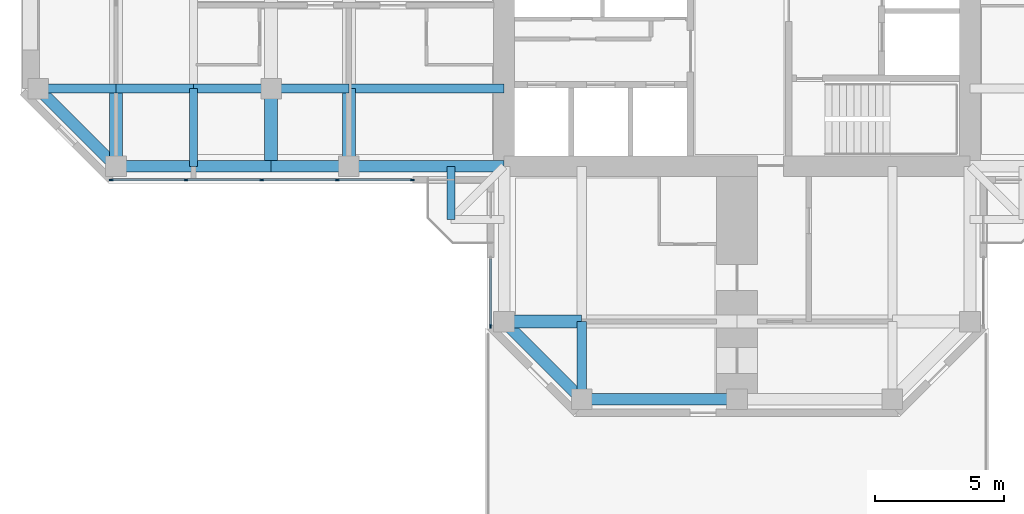
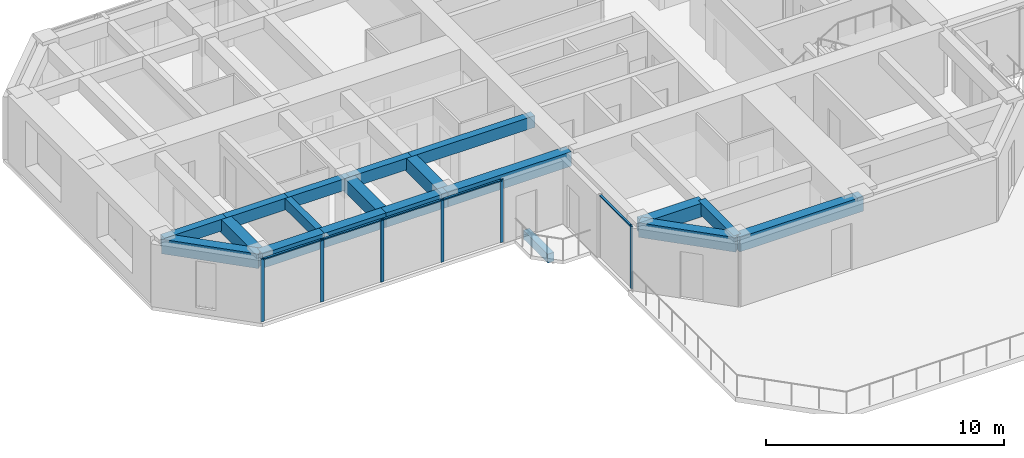
# One storey, part 2 of 14: 19 beams, 11 members, 2 elements without a shape of their own.
"""IFC4 building model written with IfcOpenShell, lengths in metres."""

from ifc_helpers import new_model, si_unit, direction, frame, origin, origin_2d, place, context, subcontext, project, spatial, rectangle, extrude, material, material_profile, profile_set, type_object, element, aggregate, save


model = new_model("IFC4")

# Units and contexts
model_context = context("Model", 3, precision=1e-05, world=origin(), true_north=direction((0.0, 1.0)))
body_context = subcontext(model_context, "Body", "Model", "MODEL_VIEW")
ifc_project = project(units=[si_unit("LENGTHUNIT", "METRE"), si_unit("AREAUNIT", "SQUARE_METRE"), si_unit("VOLUMEUNIT", "CUBIC_METRE"), si_unit("PLANEANGLEUNIT", "RADIAN"), si_unit("MASSUNIT", "GRAM", prefix="KILO")], contexts=[model_context])

# Site, building, storey
site_placement = place(None, origin())
site = spatial("IfcSite", under=ifc_project, at=site_placement, CompositionType="ELEMENT")
building_placement = place(site_placement, origin())
building = spatial("IfcBuilding", under=site, at=building_placement, Name="Torre Cruceta", CompositionType="ELEMENT")
storey_placement = place(building_placement, frame((0.0, 0.0, 222.10009765625)))
storey = spatial("IfcBuildingStorey", under=building, at=storey_placement, Name="L56", CompositionType="ELEMENT", Elevation=222.10009765625)

# Beams
ifc_material_1 = material(Name="Concrete G60 (fck 60 MPa)", Category="concrete")
ifc_material_profile_1 = material_profile(ifc_material_1, rectangle(XDim=0.300048828125, YDim=0.449951171875, at=origin_2d()), Name="RC 300X450")
ifc_profile_set_1 = profile_set([ifc_material_profile_1], Name="Concrete G60 (fck 60 MPa)")
beam_type_1 = type_object("IfcBeamType", Name="BALCONY CANTILEVER BEAM RC 300X450", PredefinedType="BEAM", material=ifc_profile_set_1)
beam_1_placement = place(storey_placement, frame((-11.050537109375, -9.0, -0.405029296875), z_axis=(0.0, -1.0, 0.0), x_axis=(1.0, 0.0, 0.0)))
element("IfcBeam", 1, at=beam_1_placement, inside=storey, type_object=beam_type_1, Name="BB1 balcony edge beam L56 W-X", PredefinedType="BEAM", context=body_context, shape_type="SweptSolid", body=[
    extrude(rectangle(XDim=0.300048828125, YDim=0.449951171875, at=origin_2d()), origin(), (0.0, 0.0, 1.0), 2.050537109375),
])
ifc_material_2 = material(Name="Concrete G60 (fck 60 MPa)", Category="concrete")
ifc_material_profile_2 = material_profile(ifc_material_2, rectangle(XDim=0.35009765625, YDim=0.60009765625, at=origin_2d()), Name="RC 350X600")
ifc_profile_set_2 = profile_set([ifc_material_profile_2], Name="Concrete G60 (fck 60 MPa)")
beam_type_2 = type_object("IfcBeamType", Name="COLUMN LINE BEAM RC 350X600", PredefinedType="BEAM", material=ifc_profile_set_2)
beam_2_placement = place(storey_placement, frame((-6.0, -15.0, 2.919921875), z_axis=(0.0, -1.0, 0.0), x_axis=(1.0, 0.0, 0.0)))
element("IfcBeam", 2, at=beam_2_placement, inside=storey, type_object=beam_type_2, Name="LB9 L56 S col- 2", PredefinedType="BEAM", context=body_context, shape_type="SweptSolid", body=[
    extrude(rectangle(XDim=0.35009765625, YDim=0.60009765625, at=origin_2d()), origin(), (0.0, 0.0, 1.0), 3.0),
])
beam_3_placement = place(storey_placement, frame((-9.0, -6.0, 2.919921875), z_axis=(-1.0, 0.0, 0.0), x_axis=(0.0, -1.0, 0.0)))
element("IfcBeam", 3, at=beam_3_placement, inside=storey, type_object=beam_type_2, Name="LB9 L56 W col+ 1", PredefinedType="BEAM", context=body_context, shape_type="SweptSolid", body=[
    extrude(rectangle(XDim=0.35009765625, YDim=0.60009765625, at=origin_2d()), origin(), (0.0, 0.0, 1.0), 6.0),
])
for number, where, z_axis, x_axis, name in (
    (4, (-15.0, -6.0, 2.919921875), (-1.0, 0.0, 0.0), (0.0, -1.0, 0.0), "LB9 L56 W col+ 2"),
    (5, (-18.0, -6.0, 2.919921875), (-1.0, 0.0, 0.0), (0.0, -1.0, 0.0), "LB9 L56 W col+ 3"),
    (6, (-21.0, -6.0, 2.919921875), (-1.0, 0.0, 0.0), (0.0, -1.0, 0.0), "LB9 L56 W col+ 4"),
    (7, (-24.0, -6.0, 2.919921875), (-1.0, 0.0, 0.0), (0.0, -1.0, 0.0), "LB9 L56 W col+ 5"),
):
    element("IfcBeam", number, at=place(storey_placement, frame(where, z_axis=z_axis, x_axis=x_axis)), inside=storey, type_object=beam_type_2, Name=name, PredefinedType="BEAM", context=body_context, shape_type="SweptSolid", body=[
        extrude(rectangle(XDim=0.35009765625, YDim=0.60009765625, at=origin_2d()), origin(), (0.0, 0.0, 1.0), 3.0),
    ])
ifc_material_3 = material(Name="Concrete G60 (fck 60 MPa)", Category="concrete")
ifc_material_profile_3 = material_profile(ifc_material_3, rectangle(XDim=0.5, YDim=0.699951171875, at=origin_2d()), Name="RC 500X700")
ifc_profile_set_3 = profile_set([ifc_material_profile_3], Name="Concrete G60 (fck 60 MPa)")
beam_type_3 = type_object("IfcBeamType", Name="CROSS BEAM RC 500X700", PredefinedType="BEAM", material=ifc_profile_set_3)
for number, where, z_axis, x_axis, name in (
    (8, (-9.0, -15.0, 2.869873046875), (1.0, 0.0, 0.0), (0.0, 1.0, 0.0), "GB7 L56 S cross15 1"),
    (9, (-15.0, -6.0, 2.869873046875), (0.0, -1.0, 0.0), (1.0, 0.0, 0.0), "GB7 L56 W cross15 4"),
    (10, (-18.0, -6.0, 2.869873046875), (0.0, -1.0, 0.0), (1.0, 0.0, 0.0), "GB7 L56 W cross18 4"),
    (11, (-24.0, -6.0, 2.869873046875), (0.0, -1.0, 0.0), (1.0, 0.0, 0.0), "GB7 L56 W cross24 4"),
):
    element("IfcBeam", number, at=place(storey_placement, frame(where, z_axis=z_axis, x_axis=x_axis)), inside=storey, type_object=beam_type_3, Name=name, PredefinedType="BEAM", context=body_context, shape_type="SweptSolid", body=[
        extrude(rectangle(XDim=0.5, YDim=0.699951171875, at=origin_2d()), origin(), (0.0, 0.0, 1.0), 3.0),
    ])

# Curtain wall, members
ifc_material_4 = material(Name="Aluminium unitised curtain wall", Category="aluminium")
curtain_wall_type = type_object("IfcCurtainWallType", Name="CURTAIN WALL CW-D CO-LIVING UPPER", PredefinedType="USERDEFINED", material=ifc_material_4)
curtain_wall_1_placement = place(storey_placement, origin())
curtain_wall_1 = element("IfcCurtainWall", 12, at=curtain_wall_1_placement, inside=storey, type_object=curtain_wall_type, Name="CW-D L56 W side 14", ObjectType="UNITISED", PredefinedType="USERDEFINED")
ifc_material_5 = material(Name="Aluminium mullion", Category="aluminium")
ifc_material_profile_4 = material_profile(ifc_material_5, rectangle(XDim=0.06005859375, YDim=0.14990234375, at=origin_2d()), Name="AL 60X150")
ifc_profile_set_4 = profile_set([ifc_material_profile_4], Name="Aluminium mullion")
member_type_1 = type_object("IfcMemberType", Name="CW-D MULLION 60X150", PredefinedType="MULLION", material=ifc_profile_set_4)
member_1_placement = place(storey_placement, frame((-24.185302734375, -9.52001953125, 0.0), z_axis=(0.0, 0.0, 1.0), x_axis=(0.0, 1.0, 0.0)))
member_1 = element("IfcMember", 13, at=member_1_placement, type_object=member_type_1, Name="CW-D mullion 1", PredefinedType="MULLION", context=body_context, shape_type="SweptSolid", body=[
    extrude(rectangle(XDim=0.06005859375, YDim=0.14990234375, at=origin_2d()), origin(), (0.0, 0.0, 1.0), 3.219970703125),
])
member_2_placement = place(storey_placement, frame((-21.29150390625, -9.52001953125, 0.0), z_axis=(0.0, 0.0, 1.0), x_axis=(0.0, 1.0, 0.0)))
member_2 = element("IfcMember", 14, at=member_2_placement, type_object=member_type_1, Name="CW-D mullion 2", PredefinedType="MULLION", context=body_context, shape_type="SweptSolid", body=[
    extrude(rectangle(XDim=0.06005859375, YDim=0.14990234375, at=origin_2d()), origin(), (0.0, 0.0, 1.0), 3.219970703125),
])
member_3_placement = place(storey_placement, frame((-18.36767578125, -9.52001953125, 0.0), z_axis=(0.0, 0.0, 1.0), x_axis=(0.0, 1.0, 0.0)))
member_3 = element("IfcMember", 15, at=member_3_placement, type_object=member_type_1, Name="CW-D mullion 3", PredefinedType="MULLION", context=body_context, shape_type="SweptSolid", body=[
    extrude(rectangle(XDim=0.06005859375, YDim=0.14990234375, at=origin_2d()), origin(), (0.0, 0.0, 1.0), 3.219970703125),
])
member_4_placement = place(storey_placement, frame((-15.44384765625, -9.52001953125, 0.0), z_axis=(0.0, 0.0, 1.0), x_axis=(0.0, 1.0, 0.0)))
member_4 = element("IfcMember", 16, at=member_4_placement, type_object=member_type_1, Name="CW-D mullion 4", PredefinedType="MULLION", context=body_context, shape_type="SweptSolid", body=[
    extrude(rectangle(XDim=0.06005859375, YDim=0.14990234375, at=origin_2d()), origin(), (0.0, 0.0, 1.0), 3.219970703125),
])
member_5_placement = place(storey_placement, frame((-12.550048828125, -9.52001953125, 0.0), z_axis=(0.0, 0.0, 1.0), x_axis=(0.0, 1.0, 0.0)))
member_5 = element("IfcMember", 17, at=member_5_placement, type_object=member_type_1, Name="CW-D mullion 5", PredefinedType="MULLION", context=body_context, shape_type="SweptSolid", body=[
    extrude(rectangle(XDim=0.06005859375, YDim=0.14990234375, at=origin_2d()), origin(), (0.0, 0.0, 1.0), 3.219970703125),
])

# Curtain wall, member
curtain_wall_2_placement = place(storey_placement, origin())
curtain_wall_2 = element("IfcCurtainWall", 18, at=curtain_wall_2_placement, inside=storey, type_object=curtain_wall_type, Name="CW-D L56 S side 15", ObjectType="UNITISED", PredefinedType="USERDEFINED")
member_6_placement = place(storey_placement, frame((-9.52001953125, -15.185302734375, 0.0), z_axis=(0.0, 0.0, 1.0), x_axis=(1.0, 0.0, 0.0)))
member_6 = element("IfcMember", 19, at=member_6_placement, type_object=member_type_1, Name="CW-D mullion 2", PredefinedType="MULLION", context=body_context, shape_type="SweptSolid", body=[
    extrude(rectangle(XDim=0.06005859375, YDim=0.14990234375, at=origin_2d()), origin(), (0.0, 0.0, 1.0), 3.219970703125),
])

# Member
ifc_material_6 = material(Name="Aluminium transom", Category="aluminium")
ifc_material_profile_5 = material_profile(ifc_material_6, rectangle(XDim=0.10009765625, YDim=0.06005859375, at=origin_2d()), Name="AL 100X60")
ifc_profile_set_5 = profile_set([ifc_material_profile_5], Name="Aluminium transom")
member_type_2 = type_object("IfcMemberType", Name="CW-D TRANSOM 60X100", PredefinedType="USERDEFINED", material=ifc_profile_set_5)
member_7_placement = place(storey_placement, frame((-24.1552734375, -9.52001953125, 3.18994140625), z_axis=(1.0, 0.0, 0.0), x_axis=(0.0, 1.0, 0.0)))
member_7 = element("IfcMember", 20, at=member_7_placement, type_object=member_type_2, Name="CW-D transom 1", ObjectType="TRANSOM", PredefinedType="USERDEFINED", context=body_context, shape_type="SweptSolid", body=[
    extrude(rectangle(XDim=0.10009765625, YDim=0.06005859375, at=origin_2d()), origin(), (0.0, 0.0, 1.0), 2.833740234375),
])

member_8_placement = place(storey_placement, frame((-21.261474609375, -9.52001953125, 3.18994140625), z_axis=(1.0, 0.0, 0.0), x_axis=(0.0, 1.0, 0.0)))
member_8 = element("IfcMember", 21, at=member_8_placement, type_object=member_type_2, Name="CW-D transom 2", ObjectType="TRANSOM", PredefinedType="USERDEFINED", context=body_context, shape_type="SweptSolid", body=[
    extrude(rectangle(XDim=0.10009765625, YDim=0.06005859375, at=origin_2d()), origin(), (0.0, 0.0, 1.0), 2.86376953125),
])

member_9_placement = place(storey_placement, frame((-18.337646484375, -9.52001953125, 3.18994140625), z_axis=(1.0, 0.0, 0.0), x_axis=(0.0, 1.0, 0.0)))
member_9 = element("IfcMember", 22, at=member_9_placement, type_object=member_type_2, Name="CW-D transom 3", ObjectType="TRANSOM", PredefinedType="USERDEFINED", context=body_context, shape_type="SweptSolid", body=[
    extrude(rectangle(XDim=0.10009765625, YDim=0.06005859375, at=origin_2d()), origin(), (0.0, 0.0, 1.0), 2.86376953125),
])

member_10_placement = place(storey_placement, frame((-15.413818359375, -9.52001953125, 3.18994140625), z_axis=(1.0, 0.0, 0.0), x_axis=(0.0, 1.0, 0.0)))
member_10 = element("IfcMember", 23, at=member_10_placement, type_object=member_type_2, Name="CW-D transom 4", ObjectType="TRANSOM", PredefinedType="USERDEFINED", context=body_context, shape_type="SweptSolid", body=[
    extrude(rectangle(XDim=0.10009765625, YDim=0.06005859375, at=origin_2d()), origin(), (0.0, 0.0, 1.0), 2.833740234375),
])

aggregate(curtain_wall_1, [member_1, member_2, member_3, member_4, member_5, member_7, member_8, member_9, member_10])

member_11_placement = place(storey_placement, frame((-9.52001953125, -12.580078125, 3.18994140625), z_axis=(0.0, -1.0, 0.0), x_axis=(1.0, 0.0, 0.0)))
member_11 = element("IfcMember", 24, at=member_11_placement, type_object=member_type_2, Name="CW-D transom 1", ObjectType="TRANSOM", PredefinedType="USERDEFINED", context=body_context, shape_type="SweptSolid", body=[
    extrude(rectangle(XDim=0.10009765625, YDim=0.06005859375, at=origin_2d()), origin(), (0.0, 0.0, 1.0), 2.5751953125),
])

aggregate(curtain_wall_2, [member_6, member_11])

# Beams
ifc_material_7 = material(Name="Concrete G60 (fck 60 MPa)", Category="concrete")
ifc_material_profile_6 = material_profile(ifc_material_7, rectangle(XDim=0.300048828125, YDim=0.550048828125, at=origin_2d()), Name="RC 300X550")
ifc_profile_set_6 = profile_set([ifc_material_profile_6], Name="Concrete G60 (fck 60 MPa)")
beam_type_4 = type_object("IfcBeamType", Name="SECONDARY BEAM RC 300X550", PredefinedType="JOIST", material=ifc_profile_set_6)
beam_4_placement = place(storey_placement, frame((-21.0, -6.0, 2.94482421875), z_axis=(0.0, -1.0, 0.0), x_axis=(1.0, 0.0, 0.0)))
element("IfcBeam", 25, at=beam_4_placement, inside=storey, type_object=beam_type_4, Name="JB7 L56 W sec21 4", PredefinedType="JOIST", context=body_context, shape_type="SweptSolid", body=[
    extrude(rectangle(XDim=0.300048828125, YDim=0.550048828125, at=origin_2d()), origin(), (0.0, 0.0, 1.0), 3.0),
])
ifc_material_8 = material(Name="Concrete G60 (fck 60 MPa)", Category="concrete")
ifc_material_profile_7 = material_profile(ifc_material_8, rectangle(XDim=0.449951171875, YDim=0.75, at=origin_2d()), Name="RC 450X750")
ifc_profile_set_7 = profile_set([ifc_material_profile_7], Name="Concrete G60 (fck 60 MPa)")
beam_type_5 = type_object("IfcBeamType", Name="SPANDREL BEAM RC 450X750", PredefinedType="SPANDREL", material=ifc_profile_set_7)
beam_5_placement = place(storey_placement, frame((-9.0, -15.0, 2.844970703125), z_axis=(0.707106781187, -0.707106781187, 0.0), x_axis=(0.707106781187, 0.707106781187, 0.0)))
element("IfcBeam", 26, at=beam_5_placement, inside=storey, type_object=beam_type_5, Name="SB7 L56 S side- 2", PredefinedType="SPANDREL", context=body_context, shape_type="SweptSolid", body=[
    extrude(rectangle(XDim=0.449951171875, YDim=0.75, at=origin_2d()), origin(), (0.0, 0.0, 1.0), 4.24267578125),
])
for number, where, z_axis, x_axis, name in (
    (27, (-6.0, -18.0, 2.844970703125), (1.0, 0.0, 0.0), (0.0, 1.0, 0.0), "SB7 L56 S tip 1"),
    (28, (-9.0, -9.0, 2.844970703125), (-1.0, 0.0, 0.0), (0.0, -1.0, 0.0), "SB7 L56 W side+ 1"),
):
    element("IfcBeam", number, at=place(storey_placement, frame(where, z_axis=z_axis, x_axis=x_axis)), inside=storey, type_object=beam_type_5, Name=name, PredefinedType="SPANDREL", context=body_context, shape_type="SweptSolid", body=[
        extrude(rectangle(XDim=0.449951171875, YDim=0.75, at=origin_2d()), origin(), (0.0, 0.0, 1.0), 6.0),
    ])
for number, where, z_axis, x_axis, name in (
    (29, (-15.0, -9.0, 2.844970703125), (-1.0, 0.0, 0.0), (0.0, -1.0, 0.0), "SB7 L56 W side+ 2"),
    (30, (-18.0, -9.0, 2.844970703125), (-1.0, 0.0, 0.0), (0.0, -1.0, 0.0), "SB7 L56 W side+ 3"),
    (31, (-21.0, -9.0, 2.844970703125), (-1.0, 0.0, 0.0), (0.0, -1.0, 0.0), "SB7 L56 W side+ 4"),
):
    element("IfcBeam", number, at=place(storey_placement, frame(where, z_axis=z_axis, x_axis=x_axis)), inside=storey, type_object=beam_type_5, Name=name, PredefinedType="SPANDREL", context=body_context, shape_type="SweptSolid", body=[
        extrude(rectangle(XDim=0.449951171875, YDim=0.75, at=origin_2d()), origin(), (0.0, 0.0, 1.0), 3.0),
    ])
beam_6_placement = place(storey_placement, frame((-24.0, -9.0, 2.844970703125), z_axis=(-0.707106781187, 0.707106781187, 0.0), x_axis=(-0.707106781187, -0.707106781187, 0.0)))
element("IfcBeam", 32, at=beam_6_placement, inside=storey, type_object=beam_type_5, Name="SB7 L56 W side+ 5", PredefinedType="SPANDREL", context=body_context, shape_type="SweptSolid", body=[
    extrude(rectangle(XDim=0.449951171875, YDim=0.75, at=origin_2d()), origin(), (0.0, 0.0, 1.0), 4.24267578125),
])

save(model, "model.ifc")
